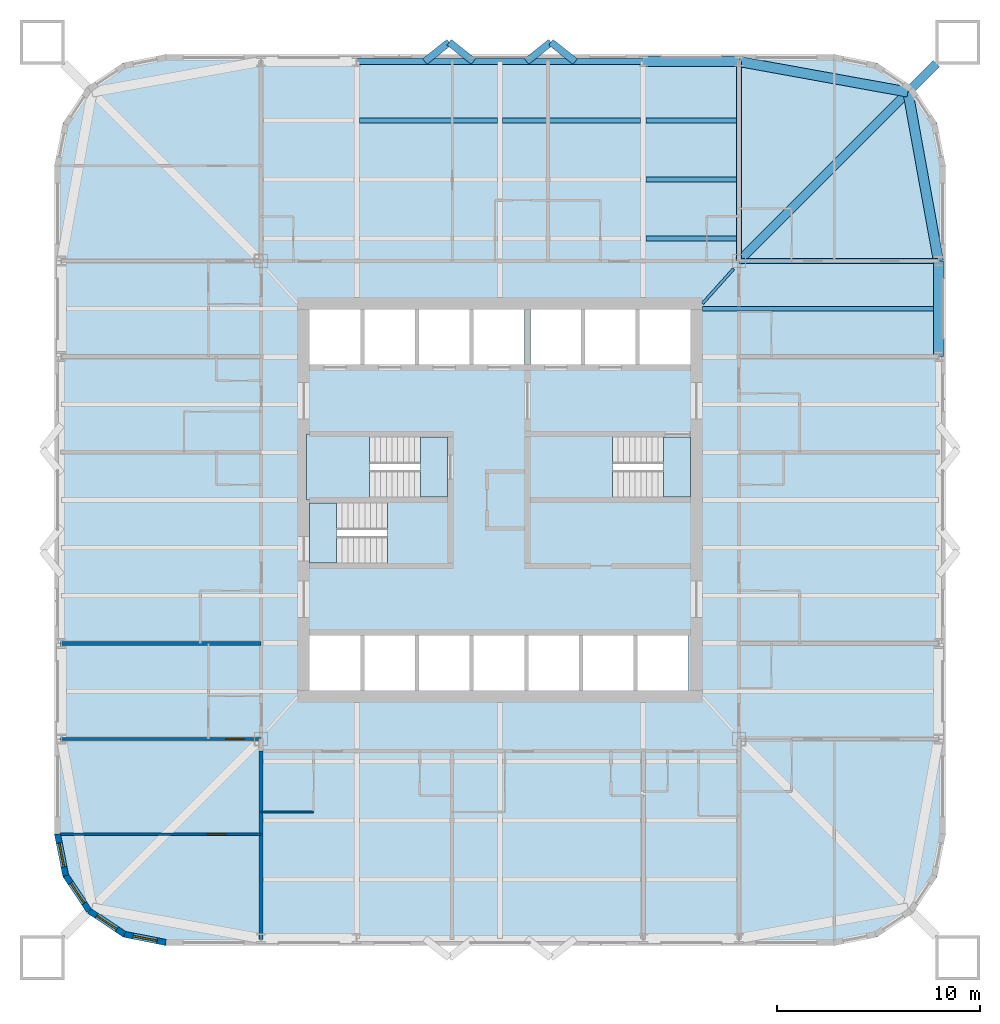
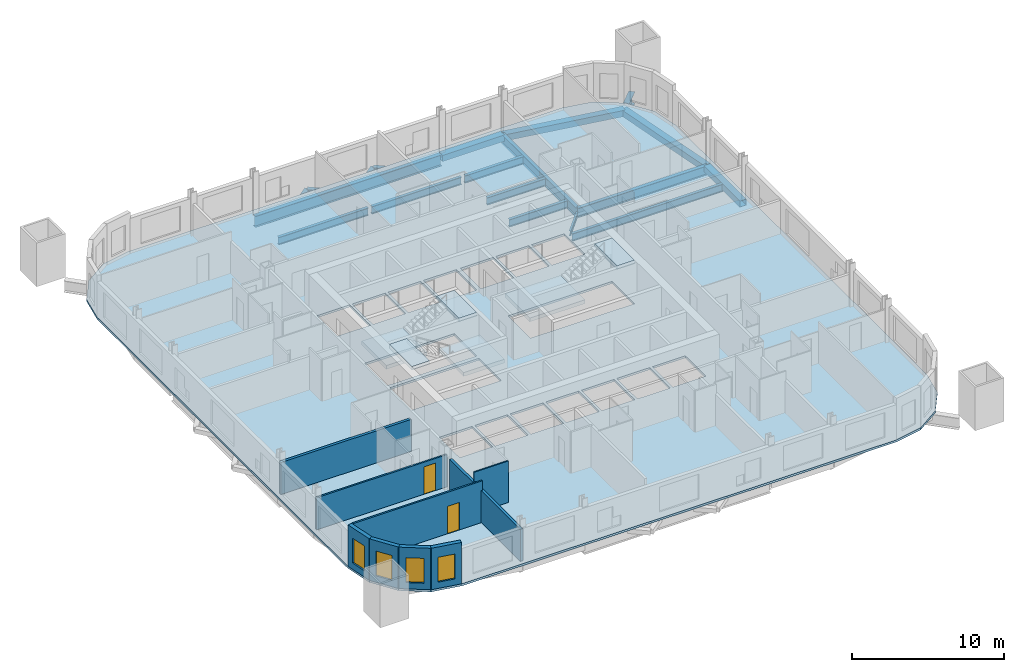
# One storey, part 2 of 10: 19 beams, 9 walls, 7 slabs, 4 windows, 2 doors, 6 openings, 3 elements without a shape of their own.
"""IFC4 building model written with IfcOpenShell, lengths in metres."""

from ifc_helpers import new_model, si_unit, direction, frame, frame_2d, origin, origin_2d, place, context, subcontext, project, spatial, polyline, rectangle, hollow_rectangle, i_section, outline, extrude, material, layer, layer_set, material_profile, profile_set, type_object, element, fill, aggregate, save


model = new_model("IFC4")

# Units and contexts
model_context = context("Model", 3, precision=1e-05, world=origin(), true_north=direction((0.0, 1.0)))
body_context = subcontext(model_context, "Body", "Model", "MODEL_VIEW")
ifc_project = project(units=[si_unit("LENGTHUNIT", "METRE"), si_unit("AREAUNIT", "SQUARE_METRE"), si_unit("VOLUMEUNIT", "CUBIC_METRE"), si_unit("PLANEANGLEUNIT", "RADIAN"), si_unit("MASSUNIT", "GRAM", prefix="KILO")], contexts=[model_context])

# Site, building, storey
site_placement = place(None, origin())
site = spatial("IfcSite", under=ifc_project, at=site_placement, CompositionType="ELEMENT")
building_placement = place(site_placement, origin())
building = spatial("IfcBuilding", under=site, at=building_placement, Name="Turquesa Mirador Hotel Tower", CompositionType="ELEMENT")
storey_placement = place(building_placement, frame((0.0, 0.0, 60.0)))
storey = spatial("IfcBuildingStorey", under=building, at=storey_placement, Name="L15", CompositionType="ELEMENT", Elevation=60.0)

# Beams
ifc_material_1 = material(Name="Steel ASTM A572 Grade 50", Category="steel")
ifc_material_profile_1 = material_profile(ifc_material_1, hollow_rectangle(XDim=0.5, YDim=0.5, WallThickness=0.01611328125, at=origin_2d()), Name="BOX500X500X16")
ifc_profile_set_1 = profile_set([ifc_material_profile_1], Name="Steel ASTM A572 Grade 50")
beam_type_1 = type_object("IfcBeamType", Name="BEAM BOX500X500X16", PredefinedType="BEAM", material=ifc_profile_set_1)
for number, where, z_axis, x_axis, name in (
    (1, (62.080078125, 66.64990234375, -0.419921875), (1.0, 0.0, 0.0), (0.0, 1.0, 0.0), "EB-L15-N-R"),
    (2, (76.64990234375, 52.080078125, -0.419921875), (0.0, 1.0, 0.0), (-1.0, 0.0, 0.0), "EB-L15-E-R"),
):
    element("IfcBeam", number, at=place(storey_placement, frame(where, z_axis=z_axis, x_axis=x_axis)), inside=storey, type_object=beam_type_1, Name=name, PredefinedType="BEAM", context=body_context, shape_type="SweptSolid", body=[
        extrude(hollow_rectangle(XDim=0.5, YDim=0.5, WallThickness=0.01611328125, at=origin_2d()), origin(), (0.0, 0.0, 1.0), 4.719970703125),
    ])
for number, where, z_axis, x_axis, name in (
    (3, (76.64990234375, 56.800048828125, -0.419921875), (-0.177932387818, 0.984042715214, 0.0), (-0.984042715214, -0.177932387818, 0.0), "KE-L15-1-0"),
    (4, (75.1416015625, 65.1416015625, -0.419921875), (-0.984042715214, 0.177932387818, 0.0), (-0.177932387818, -0.984042715214, 0.0), "KE-L15-1-1"),
):
    element("IfcBeam", number, at=place(storey_placement, frame(where, z_axis=z_axis, x_axis=x_axis)), inside=storey, type_object=beam_type_1, Name=name, PredefinedType="BEAM", context=body_context, shape_type="SweptSolid", body=[
        extrude(hollow_rectangle(XDim=0.5, YDim=0.5, WallThickness=0.01611328125, at=origin_2d()), origin(), (0.0, 0.0, 1.0), 8.476806640625),
    ])
ifc_material_2 = material(Name="Steel ASTM A992 Grade 50", Category="steel")
ifc_material_profile_2 = material_profile(ifc_material_2, i_section(OverallWidth=0.140380859375, OverallDepth=0.40380859375, WebThickness=0.007080078125, FlangeThickness=0.01123046875, at=origin_2d()), Name="W16X31")
ifc_profile_set_2 = profile_set([ifc_material_profile_2], Name="Steel ASTM A992 Grade 50")
beam_type_2 = type_object("IfcBeamType", Name="BEAM W16X31", PredefinedType="BEAM", material=ifc_profile_set_2)
beam_1_placement = place(storey_placement, frame((66.529541015625, 56.40966796875, -0.371826171875), z_axis=(-0.666745084392, -0.745285846129, 0.0), x_axis=(0.745285846129, -0.666745084392, 0.0)))
element("IfcBeam", 5, at=beam_1_placement, inside=storey, type_object=beam_type_2, Name="KT-L15-1", PredefinedType="BEAM", context=body_context, shape_type="SweptSolid", body=[
    extrude(i_section(OverallWidth=0.140380859375, OverallDepth=0.40380859375, WebThickness=0.007080078125, FlangeThickness=0.01123046875, at=origin_2d()), origin(), (0.0, 0.0, 1.0), 2.2939453125),
])
ifc_material_3 = material(Name="Steel ASTM A992 Grade 50", Category="steel")
ifc_material_profile_3 = material_profile(ifc_material_3, i_section(OverallWidth=0.228271484375, OverallDepth=0.607177734375, WebThickness=0.01123046875, FlangeThickness=0.017333984375, at=origin_2d()), Name="W24X76")
ifc_profile_set_3 = profile_set([ifc_material_profile_3], Name="Steel ASTM A992 Grade 50")
beam_type_3 = type_object("IfcBeamType", Name="BEAM W24X76", PredefinedType="BEAM", material=ifc_profile_set_3)
for number, where, z_axis, x_axis, name in (
    (6, (62.21337890625, 57.912109375, -0.4736328125), (1.0, 0.0, 0.0), (0.0, 1.0, 0.0), "IB-L15-N-1-3"),
    (7, (62.21337890625, 60.824951171875, -0.4736328125), (1.0, 0.0, 0.0), (0.0, 1.0, 0.0), "IB-L15-N-2-3"),
):
    element("IfcBeam", number, at=place(storey_placement, frame(where, z_axis=z_axis, x_axis=x_axis)), inside=storey, type_object=beam_type_3, Name=name, PredefinedType="BEAM", context=body_context, shape_type="SweptSolid", body=[
        extrude(i_section(OverallWidth=0.228271484375, OverallDepth=0.607177734375, WebThickness=0.01123046875, FlangeThickness=0.017333984375, at=origin_2d()), origin(), (0.0, 0.0, 1.0), 4.453369140625),
    ])
for number, where, z_axis, x_axis, name in (
    (8, (48.053466796875, 63.737060546875, -0.4736328125), (1.0, 0.0, 0.0), (0.0, 1.0, 0.0), "IB-L15-N-3-1"),
    (9, (55.13330078125, 63.737060546875, -0.4736328125), (1.0, 0.0, 0.0), (0.0, 1.0, 0.0), "IB-L15-N-3-2"),
):
    element("IfcBeam", number, at=place(storey_placement, frame(where, z_axis=z_axis, x_axis=x_axis)), inside=storey, type_object=beam_type_3, Name=name, PredefinedType="BEAM", context=body_context, shape_type="SweptSolid", body=[
        extrude(i_section(OverallWidth=0.228271484375, OverallDepth=0.607177734375, WebThickness=0.01123046875, FlangeThickness=0.017333984375, at=origin_2d()), origin(), (0.0, 0.0, 1.0), 6.813232421875),
    ])
beam_2_placement = place(storey_placement, frame((62.21337890625, 63.737060546875, -0.4736328125), z_axis=(1.0, 0.0, 0.0), x_axis=(0.0, 1.0, 0.0)))
element("IfcBeam", 10, at=beam_2_placement, inside=storey, type_object=beam_type_3, Name="IB-L15-N-3-3", PredefinedType="BEAM", context=body_context, shape_type="SweptSolid", body=[
    extrude(i_section(OverallWidth=0.228271484375, OverallDepth=0.607177734375, WebThickness=0.01123046875, FlangeThickness=0.017333984375, at=origin_2d()), origin(), (0.0, 0.0, 1.0), 4.453369140625),
])
beam_3_placement = place(storey_placement, frame((76.64990234375, 54.43994140625, -0.4736328125), z_axis=(-1.0, 0.0, 0.0), x_axis=(0.0, -1.0, 0.0)))
element("IfcBeam", 11, at=beam_3_placement, inside=storey, type_object=beam_type_3, Name="BM-L15-E-+9.44", PredefinedType="BEAM", context=body_context, shape_type="SweptSolid", body=[
    extrude(i_section(OverallWidth=0.228271484375, OverallDepth=0.607177734375, WebThickness=0.01123046875, FlangeThickness=0.017333984375, at=origin_2d()), origin(), (0.0, 0.0, 1.0), 11.64990234375),
])
ifc_material_4 = material(Name="Steel ASTM A992 Grade 50", Category="steel")
ifc_material_profile_4 = material_profile(ifc_material_4, i_section(OverallWidth=0.2666015625, OverallDepth=0.7568359375, WebThickness=0.013916015625, FlangeThickness=0.019287109375, at=origin_2d()), Name="W30X108")
ifc_profile_set_4 = profile_set([ifc_material_profile_4], Name="Steel ASTM A992 Grade 50")
beam_type_4 = type_object("IfcBeamType", Name="BEAM W30X108", PredefinedType="BEAM", material=ifc_profile_set_4)
for number, where, z_axis, x_axis, name in (
    (12, (66.800048828125, 66.64990234375, -0.54833984375), (0.0, -1.0, 0.0), (1.0, 0.0, 0.0), "GK-L15-N-+11.80"),
    (13, (76.64990234375, 56.800048828125, -0.54833984375), (-1.0, 0.0, 0.0), (0.0, -1.0, 0.0), "GK-L15-E-+11.80"),
):
    element("IfcBeam", number, at=place(storey_placement, frame(where, z_axis=z_axis, x_axis=x_axis)), inside=storey, type_object=beam_type_4, Name=name, PredefinedType="BEAM", context=body_context, shape_type="SweptSolid", body=[
        extrude(i_section(OverallWidth=0.2666015625, OverallDepth=0.7568359375, WebThickness=0.013916015625, FlangeThickness=0.019287109375, at=origin_2d()), origin(), (0.0, 0.0, 1.0), 9.849853515625),
    ])
ifc_material_5 = material(Name="Steel ASTM A992 Grade 50", Category="steel")
ifc_material_profile_5 = material_profile(ifc_material_5, i_section(OverallWidth=0.3046875, OverallDepth=0.911865234375, WebThickness=0.015869140625, FlangeThickness=0.02392578125, at=origin_2d()), Name="W36X150")
ifc_profile_set_5 = profile_set([ifc_material_profile_5], Name="Steel ASTM A992 Grade 50")
beam_type_5 = type_object("IfcBeamType", Name="BEAM W36X150", PredefinedType="BEAM", material=ifc_profile_set_5)
beam_4_placement = place(storey_placement, frame((47.919921875, 66.64990234375, -0.6259765625), z_axis=(1.0, 0.0, 0.0), x_axis=(0.0, 1.0, 0.0)))
element("IfcBeam", 14, at=beam_4_placement, inside=storey, type_object=beam_type_5, Name="EB-L15-N-C", PredefinedType="BEAM", context=body_context, shape_type="SweptSolid", body=[
    extrude(i_section(OverallWidth=0.3046875, OverallDepth=0.911865234375, WebThickness=0.015869140625, FlangeThickness=0.02392578125, at=origin_2d()), origin(), (0.0, 0.0, 1.0), 14.16015625),
])
ifc_material_6 = material(Name="Steel ASTM A992 Grade 50", Category="steel")
ifc_material_profile_6 = material_profile(ifc_material_6, i_section(OverallWidth=0.419189453125, OverallDepth=0.927001953125, WebThickness=0.019287109375, FlangeThickness=0.031982421875, at=origin_2d()), Name="W36X231")
ifc_profile_set_6 = profile_set([ifc_material_profile_6], Name="Steel ASTM A992 Grade 50")
beam_type_6 = type_object("IfcBeamType", Name="BEAM W36X231", PredefinedType="BEAM", material=ifc_profile_set_6)
beam_5_placement = place(storey_placement, frame((66.800048828125, 56.800048828125, -0.633544921875), z_axis=(0.707106781187, 0.707106781187, 0.0), x_axis=(-0.707106781187, 0.707106781187, 0.0)))
element("IfcBeam", 15, at=beam_5_placement, inside=storey, type_object=beam_type_6, Name="KD-L15-1", PredefinedType="BEAM", context=body_context, shape_type="SweptSolid", body=[
    extrude(i_section(OverallWidth=0.419189453125, OverallDepth=0.927001953125, WebThickness=0.019287109375, FlangeThickness=0.031982421875, at=origin_2d()), origin(), (0.0, 0.0, 1.0), 13.78857421875),
])
ifc_material_7 = material(Name="Steel ASTM A500 Grade C", Category="steel")
ifc_material_profile_7 = material_profile(ifc_material_7, hollow_rectangle(XDim=0.355712890625, YDim=0.355712890625, WallThickness=0.0146484375, at=origin_2d()), Name="HSS14X14X5/8")
ifc_profile_set_7 = profile_set([ifc_material_profile_7], Name="Steel ASTM A500 Grade C")
beam_type_7 = type_object("IfcBeamType", Name="BRACE STRUT HSS14X14X5/8", PredefinedType="BEAM", material=ifc_profile_set_7)
beam_6_placement = place(storey_placement, frame((57.51123046875, 67.60009765625, -0.347900390625), z_axis=(-0.784032888399, -0.620719284306, 0.0), x_axis=(0.620719284306, -0.784032888399, 0.0)))
element("IfcBeam", 16, at=beam_6_placement, inside=storey, type_object=beam_type_7, Name="Brace strut", PredefinedType="BEAM", context=body_context, shape_type="SweptSolid", body=[
    extrude(hollow_rectangle(XDim=0.355712890625, YDim=0.355712890625, WallThickness=0.0146484375, at=origin_2d()), origin(), (0.0, 0.0, 1.0), 1.53076171875),
])
for number, where, z_axis, x_axis, name in (
    (17, (57.51123046875, 67.60009765625, -0.347900390625), (0.783971428146, -0.620796907089, 0.0), (0.620796907089, 0.783971428146, 0.0), "Brace strut"),
    (18, (52.48876953125, 67.60009765625, -0.347900390625), (-0.783971428146, -0.620796907089, 0.0), (0.620796907089, -0.783971428146, 0.0), "Brace strut"),
):
    element("IfcBeam", number, at=place(storey_placement, frame(where, z_axis=z_axis, x_axis=x_axis)), inside=storey, type_object=beam_type_7, Name=name, PredefinedType="BEAM", context=body_context, shape_type="SweptSolid", body=[
        extrude(hollow_rectangle(XDim=0.355712890625, YDim=0.355712890625, WallThickness=0.0146484375, at=origin_2d()), origin(), (0.0, 0.0, 1.0), 1.530517578125),
    ])
beam_7_placement = place(storey_placement, frame((52.48876953125, 67.60009765625, -0.347900390625), z_axis=(0.784032888399, -0.620719284306, 0.0), x_axis=(0.620719284306, 0.784032888399, 0.0)))
element("IfcBeam", 19, at=beam_7_placement, inside=storey, type_object=beam_type_7, Name="Brace strut", PredefinedType="BEAM", context=body_context, shape_type="SweptSolid", body=[
    extrude(hollow_rectangle(XDim=0.355712890625, YDim=0.355712890625, WallThickness=0.0146484375, at=origin_2d()), origin(), (0.0, 0.0, 1.0), 1.53076171875),
])

# Slab
ifc_material_8 = material(Name="Concrete C28/35", Category="concrete")
ifc_layer_1 = layer(ifc_material_8, 0.169921875)
ifc_layer_set_1 = layer_set([ifc_layer_1], Name="COMPOSITE FLOOR SLAB 170")
slab_type_1 = type_object("IfcSlabType", Name="COMPOSITE FLOOR SLAB 170", PredefinedType="FLOOR", material=ifc_layer_set_1)
slab_1_placement = place(storey_placement, frame((0.0, 0.0, -0.169921875)))
element("IfcSlab", 20, at=slab_1_placement, inside=storey, type_object=slab_type_1, Name="Floor slab L15", PredefinedType="FLOOR", context=body_context, shape_type="SweptSolid", body=[
    extrude(outline(polyline([(71.5, 23.0), (73.604736328125, 23.418701171875), (75.38916015625, 24.61083984375), (76.581298828125, 26.395263671875), (77.0, 28.5), (77.0, 61.5), (76.581298828125, 63.604736328125), (75.38916015625, 65.38916015625), (73.604736328125, 66.581298828125), (71.5, 67.0), (38.5, 67.0), (36.395263671875, 66.581298828125), (34.61083984375, 65.38916015625), (33.418701171875, 63.604736328125), (33.0, 61.5), (33.0, 28.5), (33.418701171875, 26.395263671875), (34.61083984375, 24.61083984375), (36.395263671875, 23.418701171875), (38.5, 23.0), (71.5, 23.0)]), holes=[polyline([(45.60009765625, 51.699951171875), (48.10009765625, 51.699951171875), (48.10009765625, 54.39990234375), (45.60009765625, 54.39990234375), (45.60009765625, 51.699951171875)]), polyline([(48.300048828125, 51.699951171875), (50.800048828125, 51.699951171875), (50.800048828125, 54.39990234375), (48.300048828125, 54.39990234375), (48.300048828125, 51.699951171875)]), polyline([(51.0, 51.699951171875), (53.5, 51.699951171875), (53.5, 54.39990234375), (51.0, 54.39990234375), (51.0, 51.699951171875)]), polyline([(53.699951171875, 51.699951171875), (56.199951171875, 51.699951171875), (56.199951171875, 54.39990234375), (53.699951171875, 54.39990234375), (53.699951171875, 51.699951171875)]), polyline([(56.5, 51.699951171875), (59.0, 51.699951171875), (59.0, 54.39990234375), (56.5, 54.39990234375), (56.5, 51.699951171875)]), polyline([(59.199951171875, 51.699951171875), (61.699951171875, 51.699951171875), (61.699951171875, 54.39990234375), (59.199951171875, 54.39990234375), (59.199951171875, 51.699951171875)]), polyline([(45.60009765625, 35.60009765625), (48.10009765625, 35.60009765625), (48.10009765625, 38.300048828125), (45.60009765625, 38.300048828125), (45.60009765625, 35.60009765625)]), polyline([(48.300048828125, 35.60009765625), (50.800048828125, 35.60009765625), (50.800048828125, 38.300048828125), (48.300048828125, 38.300048828125), (48.300048828125, 35.60009765625)]), polyline([(51.0, 35.60009765625), (53.5, 35.60009765625), (53.5, 38.300048828125), (51.0, 38.300048828125), (51.0, 35.60009765625)]), polyline([(53.699951171875, 35.60009765625), (56.199951171875, 35.60009765625), (56.199951171875, 38.300048828125), (53.699951171875, 38.300048828125), (53.699951171875, 35.60009765625)]), polyline([(56.39990234375, 35.60009765625), (58.89990234375, 35.60009765625), (58.89990234375, 38.300048828125), (56.39990234375, 38.300048828125), (56.39990234375, 35.60009765625)]), polyline([(59.10009765625, 35.60009765625), (61.60009765625, 35.60009765625), (61.60009765625, 38.300048828125), (59.10009765625, 38.300048828125), (59.10009765625, 35.60009765625)]), polyline([(61.800048828125, 35.60009765625), (64.300048828125, 35.60009765625), (64.300048828125, 38.300048828125), (61.800048828125, 38.300048828125), (61.800048828125, 35.60009765625)]), polyline([(45.60009765625, 45.14990234375), (52.39990234375, 45.14990234375), (52.39990234375, 48.10009765625), (45.60009765625, 48.10009765625), (45.60009765625, 45.14990234375)]), polyline([(45.60009765625, 41.89990234375), (52.39990234375, 41.89990234375), (52.39990234375, 44.85009765625), (45.60009765625, 44.85009765625), (45.60009765625, 41.89990234375)]), polyline([(56.5, 45.14990234375), (64.39990234375, 45.14990234375), (64.39990234375, 48.10009765625), (56.5, 48.10009765625), (56.5, 45.14990234375)]), polyline([(61.89990234375, 51.699951171875), (64.39990234375, 51.699951171875), (64.39990234375, 54.39990234375), (61.89990234375, 54.39990234375), (61.89990234375, 51.699951171875)])]), origin(), (0.0, 0.0, 1.0), 0.169921875),
])

# Stair, slabs
ifc_material_9 = material(Name="Concrete C35/45", Category="concrete")
stair_type = type_object("IfcStairType", Name="ESCAPE STAIR CORE", PredefinedType="HALF_TURN_STAIR", material=ifc_material_9)
stair_1_placement = place(storey_placement, origin())
stair_1 = element("IfcStair", 21, at=stair_1_placement, inside=storey, type_object=stair_type, Name="Stair ST1 L15 to L16", PredefinedType="HALF_TURN_STAIR")
ifc_material_10 = material(Name="Concrete C35/45", Category="concrete")
ifc_layer_2 = layer(ifc_material_10, 0.300048828125)
ifc_layer_set_2 = layer_set([ifc_layer_2], Name="STAIR LANDING 300")
slab_type_2 = type_object("IfcSlabType", Name="STAIR LANDING 300", PredefinedType="LANDING", material=ifc_layer_set_2)
slab_2_placement = place(storey_placement, frame((0.0, 0.0, 1.449951171875)))
slab_2 = element("IfcSlab", 22, at=slab_2_placement, type_object=slab_type_2, Name="ST1 landing 1", PredefinedType="LANDING", context=body_context, shape_type="SweptSolid", body=[
    extrude(outline(polyline([(45.449951171875, 45.0), (48.550048828125, 45.0), (48.550048828125, 48.25), (45.449951171875, 48.25), (45.449951171875, 45.0)])), origin(), (0.0, 0.0, 1.0), 0.300048828125),
])
slab_3_placement = place(storey_placement, frame((0.0, 0.0, 3.199951171875)))
slab_3 = element("IfcSlab", 23, at=slab_3_placement, type_object=slab_type_2, Name="ST1 landing 2", PredefinedType="LANDING", context=body_context, shape_type="SweptSolid", body=[
    extrude(outline(polyline([(51.070068359375, 45.14990234375), (52.39990234375, 45.14990234375), (52.39990234375, 48.10009765625), (51.070068359375, 48.10009765625), (51.070068359375, 45.14990234375)])), origin(), (0.0, 0.0, 1.0), 0.300048828125),
])
aggregate(stair_1, [slab_2, slab_3])

stair_2_placement = place(storey_placement, origin())
stair_2 = element("IfcStair", 24, at=stair_2_placement, inside=storey, type_object=stair_type, Name="Stair ST2 L15 to L16", PredefinedType="HALF_TURN_STAIR")
slab_4_placement = place(storey_placement, frame((0.0, 0.0, 1.449951171875)))
slab_4 = element("IfcSlab", 25, at=slab_4_placement, type_object=slab_type_2, Name="ST2 landing 1", PredefinedType="LANDING", context=body_context, shape_type="SweptSolid", body=[
    extrude(outline(polyline([(52.550048828125, 45.0), (49.449951171875, 45.0), (49.449951171875, 41.75), (52.550048828125, 41.75), (52.550048828125, 45.0)])), origin(), (0.0, 0.0, 1.0), 0.300048828125),
])
slab_5_placement = place(storey_placement, frame((0.0, 0.0, 3.199951171875)))
slab_5 = element("IfcSlab", 26, at=slab_5_placement, type_object=slab_type_2, Name="ST2 landing 2", PredefinedType="LANDING", context=body_context, shape_type="SweptSolid", body=[
    extrude(outline(polyline([(46.929931640625, 44.85009765625), (45.60009765625, 44.85009765625), (45.60009765625, 41.89990234375), (46.929931640625, 41.89990234375), (46.929931640625, 44.85009765625)])), origin(), (0.0, 0.0, 1.0), 0.300048828125),
])
aggregate(stair_2, [slab_4, slab_5])

stair_3_placement = place(storey_placement, origin())
stair_3 = element("IfcStair", 27, at=stair_3_placement, inside=storey, type_object=stair_type, Name="Stair ST3 L15 to L16", PredefinedType="HALF_TURN_STAIR")
slab_6_placement = place(storey_placement, frame((0.0, 0.0, 1.449951171875)))
slab_6 = element("IfcSlab", 28, at=slab_6_placement, type_object=slab_type_2, Name="ST3 landing 1", PredefinedType="LANDING", context=body_context, shape_type="SweptSolid", body=[
    extrude(outline(polyline([(56.35009765625, 45.0), (60.550048828125, 45.0), (60.550048828125, 48.25), (56.35009765625, 48.25), (56.35009765625, 45.0)])), origin(), (0.0, 0.0, 1.0), 0.300048828125),
])
slab_7_placement = place(storey_placement, frame((0.0, 0.0, 3.199951171875)))
slab_7 = element("IfcSlab", 29, at=slab_7_placement, type_object=slab_type_2, Name="ST3 landing 2", PredefinedType="LANDING", context=body_context, shape_type="SweptSolid", body=[
    extrude(outline(polyline([(63.070068359375, 45.14990234375), (64.39990234375, 45.14990234375), (64.39990234375, 48.10009765625), (63.070068359375, 48.10009765625), (63.070068359375, 45.14990234375)])), origin(), (0.0, 0.0, 1.0), 0.300048828125),
])
aggregate(stair_3, [slab_6, slab_7])

# Wall
ifc_material_11 = material(Name="Gypsum board on steel studs", Category="steel")
ifc_layer_3 = layer(ifc_material_11, 0.10009765625)
ifc_layer_set_3 = layer_set([ifc_layer_3], Name="BATHROOM WALL 100")
wall_type_1 = type_object("IfcWallType", Name="BATHROOM WALL 100", PredefinedType="PARTITIONING", material=ifc_layer_set_3)
wall_1_placement = place(storey_placement, frame((43.199951171875, 29.60009765625, 0.0), z_axis=(0.0, 0.0, 1.0), x_axis=(1.0, 0.0, 0.0)))
element("IfcWall", 30, at=wall_1_placement, inside=storey, type_object=wall_type_1, Name="Partition L15 009", PredefinedType="PARTITIONING", context=body_context, shape_type="SweptSolid", body=[
    extrude(rectangle(XDim=2.60009765625, YDim=0.10009765625, at=frame_2d((1.300048828125, 0.0))), origin(), (0.0, 0.0, 1.0), 3.330078125),
])

# Wall, opening, window
ifc_material_12 = material(Name="Limestone cladding on concrete block", Category="masonry")
ifc_layer_4 = layer(ifc_material_12, 0.300048828125)
ifc_layer_set_4 = layer_set([ifc_layer_4], Name="FACADE WALL 300 STONE SCREEN")
wall_type_2 = type_object("IfcWallType", Name="FACADE WALL 300 STONE SCREEN", PredefinedType="SOLIDWALL", material=ifc_layer_set_4)
wall_2_placement = place(storey_placement, frame((33.14990234375, 28.5, 0.0), z_axis=(0.0, 0.0, 1.0), x_axis=(0.195081421501, -0.980787050784, 0.0)))
wall_2 = element("IfcWall", 31, at=wall_2_placement, inside=storey, type_object=wall_type_2, Name="Facade wall L15 15", PredefinedType="SOLIDWALL", context=body_context, shape_type="SweptSolid", body=[
    extrude(rectangle(XDim=2.08740234375, YDim=0.300048828125, at=frame_2d((1.043701171875, 0.0))), origin(), (0.0, 0.0, 1.0), 3.330078125),
])
opening_1_placement = place(wall_2_placement, frame((0.443603515625, 0.0, 0.5)))
opening_1 = element("IfcOpeningElement", 32, at=opening_1_placement, cuts=wall_2, Name="Opening WN4", PredefinedType="OPENING", context=body_context, shape_type="SweptSolid", body=[
    extrude(rectangle(XDim=1.199951171875, YDim=2.0, at=frame_2d((0.60009765625, 1.0))), frame((0.0, 0.159912109375, 0.0), z_axis=(0.0, -1.0, 0.0), x_axis=(1.0, 0.0, 0.0)), (0.0, 0.0, 1.0), 0.320068359375),
])
ifc_material_13 = material(Name="Ceramic-fritted laminated glass", Category="glass")
window_type = type_object("IfcWindowType", Name="FRITTED CORNER WINDOW 1200X2000", PartitioningType="DOUBLE_PANEL_HORIZONTAL", PredefinedType="WINDOW", material=ifc_material_13)
window_1_placement = place(opening_1_placement, origin())
window_1 = element("IfcWindow", 33, at=window_1_placement, inside=storey, type_object=window_type, Name="Window L15", OverallHeight=2.0, OverallWidth=1.199951171875, PartitioningType="SINGLE_PANEL", PredefinedType="WINDOW", context=body_context, shape_type="SweptSolid", body=[
    extrude(rectangle(XDim=1.199951171875, YDim=2.0, at=frame_2d((0.60009765625, 1.0))), frame((0.0, 0.030029296875, 0.0), z_axis=(0.0, -1.0, 0.0), x_axis=(1.0, 0.0, 0.0)), (0.0, 0.0, 1.0), 0.06005859375),
])
fill(opening_1, window_1)

wall_3_placement = place(storey_placement, frame((33.55712890625, 26.45263671875, 0.0), z_axis=(0.0, 0.0, 1.0), x_axis=(0.555644460423, -0.831420010345, 0.0)))
wall_3 = element("IfcWall", 34, at=wall_3_placement, inside=storey, type_object=wall_type_2, Name="Facade wall L15 16", PredefinedType="SOLIDWALL", context=body_context, shape_type="SweptSolid", body=[
    extrude(rectangle(XDim=2.08740234375, YDim=0.300048828125, at=frame_2d((1.043701171875, 0.0))), origin(), (0.0, 0.0, 1.0), 3.330078125),
])
opening_2_placement = place(wall_3_placement, frame((0.443603515625, 0.0, 0.5)))
opening_2 = element("IfcOpeningElement", 35, at=opening_2_placement, cuts=wall_3, Name="Opening WN4", PredefinedType="OPENING", context=body_context, shape_type="SweptSolid", body=[
    extrude(rectangle(XDim=1.199951171875, YDim=2.0, at=frame_2d((0.60009765625, 1.0))), frame((0.0, 0.159912109375, 0.0), z_axis=(0.0, -1.0, 0.0), x_axis=(1.0, 0.0, 0.0)), (0.0, 0.0, 1.0), 0.320068359375),
])
window_2_placement = place(opening_2_placement, origin())
window_2 = element("IfcWindow", 36, at=window_2_placement, inside=storey, type_object=window_type, Name="Window L15", OverallHeight=2.0, OverallWidth=1.199951171875, PartitioningType="SINGLE_PANEL", PredefinedType="WINDOW", context=body_context, shape_type="SweptSolid", body=[
    extrude(rectangle(XDim=1.199951171875, YDim=2.0, at=frame_2d((0.60009765625, 1.0))), frame((0.0, 0.030029296875, 0.0), z_axis=(0.0, -1.0, 0.0), x_axis=(1.0, 0.0, 0.0)), (0.0, 0.0, 1.0), 0.06005859375),
])
fill(opening_2, window_2)

wall_4_placement = place(storey_placement, frame((34.717041015625, 24.717041015625, 0.0), z_axis=(0.0, 0.0, 1.0), x_axis=(0.831420010345, -0.555644460423, 0.0)))
wall_4 = element("IfcWall", 37, at=wall_4_placement, inside=storey, type_object=wall_type_2, Name="Facade wall L15 17", PredefinedType="SOLIDWALL", context=body_context, shape_type="SweptSolid", body=[
    extrude(rectangle(XDim=2.08740234375, YDim=0.300048828125, at=frame_2d((1.043701171875, 0.0))), origin(), (0.0, 0.0, 1.0), 3.330078125),
])
opening_3_placement = place(wall_4_placement, frame((0.443603515625, 0.0, 0.5)))
opening_3 = element("IfcOpeningElement", 38, at=opening_3_placement, cuts=wall_4, Name="Opening WN4", PredefinedType="OPENING", context=body_context, shape_type="SweptSolid", body=[
    extrude(rectangle(XDim=1.199951171875, YDim=2.0, at=frame_2d((0.60009765625, 1.0))), frame((0.0, 0.159912109375, 0.0), z_axis=(0.0, -1.0, 0.0), x_axis=(1.0, 0.0, 0.0)), (0.0, 0.0, 1.0), 0.320068359375),
])
window_3_placement = place(opening_3_placement, origin())
window_3 = element("IfcWindow", 39, at=window_3_placement, inside=storey, type_object=window_type, Name="Window L15", OverallHeight=2.0, OverallWidth=1.199951171875, PartitioningType="SINGLE_PANEL", PredefinedType="WINDOW", context=body_context, shape_type="SweptSolid", body=[
    extrude(rectangle(XDim=1.199951171875, YDim=2.0, at=frame_2d((0.60009765625, 1.0))), frame((0.0, 0.030029296875, 0.0), z_axis=(0.0, -1.0, 0.0), x_axis=(1.0, 0.0, 0.0)), (0.0, 0.0, 1.0), 0.06005859375),
])
fill(opening_3, window_3)

wall_5_placement = place(storey_placement, frame((36.45263671875, 23.55712890625, 0.0), z_axis=(0.0, 0.0, 1.0), x_axis=(0.980787050784, -0.195081421501, 0.0)))
wall_5 = element("IfcWall", 40, at=wall_5_placement, inside=storey, type_object=wall_type_2, Name="Facade wall L15 18", PredefinedType="SOLIDWALL", context=body_context, shape_type="SweptSolid", body=[
    extrude(rectangle(XDim=2.08740234375, YDim=0.300048828125, at=frame_2d((1.043701171875, 0.0))), origin(), (0.0, 0.0, 1.0), 3.330078125),
])
opening_4_placement = place(wall_5_placement, frame((0.443603515625, 0.0, 0.5)))
opening_4 = element("IfcOpeningElement", 41, at=opening_4_placement, cuts=wall_5, Name="Opening WN4", PredefinedType="OPENING", context=body_context, shape_type="SweptSolid", body=[
    extrude(rectangle(XDim=1.199951171875, YDim=2.0, at=frame_2d((0.60009765625, 1.0))), frame((0.0, 0.159912109375, 0.0), z_axis=(0.0, -1.0, 0.0), x_axis=(1.0, 0.0, 0.0)), (0.0, 0.0, 1.0), 0.320068359375),
])
window_4_placement = place(opening_4_placement, origin())
window_4 = element("IfcWindow", 42, at=window_4_placement, inside=storey, type_object=window_type, Name="Window L15", OverallHeight=2.0, OverallWidth=1.199951171875, PartitioningType="SINGLE_PANEL", PredefinedType="WINDOW", context=body_context, shape_type="SweptSolid", body=[
    extrude(rectangle(XDim=1.199951171875, YDim=2.0, at=frame_2d((0.60009765625, 1.0))), frame((0.0, 0.030029296875, 0.0), z_axis=(0.0, -1.0, 0.0), x_axis=(1.0, 0.0, 0.0)), (0.0, 0.0, 1.0), 0.06005859375),
])
fill(opening_4, window_4)

# Walls
ifc_material_14 = material(Name="Fire-rated gypsum board on steel studs", Category="steel")
ifc_layer_5 = layer(ifc_material_14, 0.199951171875)
ifc_layer_set_5 = layer_set([ifc_layer_5], Name="PARTY WALL 200")
wall_type_3 = type_object("IfcWallType", Name="PARTY WALL 200", PredefinedType="PARTITIONING", material=ifc_layer_set_5)
wall_6_placement = place(storey_placement, frame((33.300048828125, 37.919921875, 0.0), z_axis=(0.0, 0.0, 1.0), x_axis=(1.0, 0.0, 0.0)))
element("IfcWall", 43, at=wall_6_placement, inside=storey, type_object=wall_type_3, Name="Partition L15 015", PredefinedType="PARTITIONING", context=body_context, shape_type="SweptSolid", body=[
    extrude(rectangle(XDim=9.89990234375, YDim=0.199951171875, at=frame_2d((4.949951171875, 0.0))), origin(), (0.0, 0.0, 1.0), 2.572998046875),
])
wall_7_placement = place(storey_placement, frame((43.199951171875, 23.300048828125, 0.0), z_axis=(0.0, 0.0, 1.0), x_axis=(0.0, 1.0, 0.0)))
element("IfcWall", 44, at=wall_7_placement, inside=storey, type_object=wall_type_3, Name="Partition L15 042", PredefinedType="PARTITIONING", context=body_context, shape_type="SweptSolid", body=[
    extrude(rectangle(XDim=9.300048828125, YDim=0.199951171875, at=frame_2d((4.64990234375, 0.0))), origin(), (0.0, 0.0, 1.0), 2.572998046875),
])

# Wall, opening, door
ifc_material_15 = material(Name="Acoustic gypsum board on steel studs", Category="steel")
ifc_layer_6 = layer(ifc_material_15, 0.125)
ifc_layer_set_6 = layer_set([ifc_layer_6], Name="SUITE PARTITION 125")
wall_type_4 = type_object("IfcWallType", Name="SUITE PARTITION 125", PredefinedType="PARTITIONING", material=ifc_layer_set_6)
wall_8_placement = place(storey_placement, frame((33.300048828125, 33.199951171875, 0.0), z_axis=(0.0, 0.0, 1.0), x_axis=(1.0, 0.0, 0.0)))
wall_8 = element("IfcWall", 45, at=wall_8_placement, inside=storey, type_object=wall_type_4, Name="Partition L15 002", PredefinedType="PARTITIONING", context=body_context, shape_type="SweptSolid", body=[
    extrude(rectangle(XDim=9.89990234375, YDim=0.125, at=frame_2d((4.949951171875, 0.0))), origin(), (0.0, 0.0, 1.0), 2.572998046875),
])
opening_5_placement = place(wall_8_placement, frame((8.14990234375, 0.0, 0.0)))
opening_5 = element("IfcOpeningElement", 46, at=opening_5_placement, cuts=wall_8, Name="Opening D17", PredefinedType="OPENING", context=body_context, shape_type="SweptSolid", body=[
    extrude(rectangle(XDim=0.89990234375, YDim=2.199951171875, at=frame_2d((0.449951171875, 1.10009765625))), frame((0.0, 0.072509765625, 0.0), z_axis=(0.0, -1.0, 0.0), x_axis=(1.0, 0.0, 0.0)), (0.0, 0.0, 1.0), 0.14501953125),
])
ifc_material_16 = material(Name="Timber veneered door", Category="wood")
door_type = type_object("IfcDoorType", Name="DOOR 900X2200 SUITE INTERNAL", OperationType="SINGLE_SWING_LEFT", PredefinedType="DOOR", material=ifc_material_16)
door_1_placement = place(opening_5_placement, origin())
door_1 = element("IfcDoor", 47, at=door_1_placement, inside=storey, type_object=door_type, Name="Door 1512", OperationType="SINGLE_SWING_LEFT", OverallHeight=2.199951171875, OverallWidth=0.89990234375, PredefinedType="DOOR", context=body_context, shape_type="SweptSolid", body=[
    extrude(rectangle(XDim=0.89990234375, YDim=2.199951171875, at=frame_2d((0.449951171875, 1.10009765625))), frame((0.0, 0.02490234375, 0.0), z_axis=(0.0, -1.0, 0.0), x_axis=(1.0, 0.0, 0.0)), (0.0, 0.0, 1.0), 0.050048828125),
])
fill(opening_5, door_1)

wall_9_placement = place(storey_placement, frame((33.305908203125, 28.5, 0.0), z_axis=(0.0, 0.0, 1.0), x_axis=(1.0, 0.0, 0.0)))
wall_9 = element("IfcWall", 48, at=wall_9_placement, inside=storey, type_object=wall_type_4, Name="Partition L15 012", PredefinedType="PARTITIONING", context=body_context, shape_type="SweptSolid", body=[
    extrude(rectangle(XDim=9.89404296875, YDim=0.125, at=frame_2d((4.947021484375, 0.0))), origin(), (0.0, 0.0, 1.0), 3.330078125),
])
opening_6_placement = place(wall_9_placement, frame((7.244140625, 0.0, 0.0)))
opening_6 = element("IfcOpeningElement", 49, at=opening_6_placement, cuts=wall_9, Name="Opening D17", PredefinedType="OPENING", context=body_context, shape_type="SweptSolid", body=[
    extrude(rectangle(XDim=0.89990234375, YDim=2.199951171875, at=frame_2d((0.449951171875, 1.10009765625))), frame((0.0, 0.072509765625, 0.0), z_axis=(0.0, -1.0, 0.0), x_axis=(1.0, 0.0, 0.0)), (0.0, 0.0, 1.0), 0.14501953125),
])
door_2_placement = place(opening_6_placement, origin())
door_2 = element("IfcDoor", 50, at=door_2_placement, inside=storey, type_object=door_type, Name="Door 1512M", OperationType="SINGLE_SWING_LEFT", OverallHeight=2.199951171875, OverallWidth=0.89990234375, PredefinedType="DOOR", context=body_context, shape_type="SweptSolid", body=[
    extrude(rectangle(XDim=0.89990234375, YDim=2.199951171875, at=frame_2d((0.449951171875, 1.10009765625))), frame((0.0, 0.02490234375, 0.0), z_axis=(0.0, -1.0, 0.0), x_axis=(1.0, 0.0, 0.0)), (0.0, 0.0, 1.0), 0.050048828125),
])
fill(opening_6, door_2)

save(model, "model.ifc")
